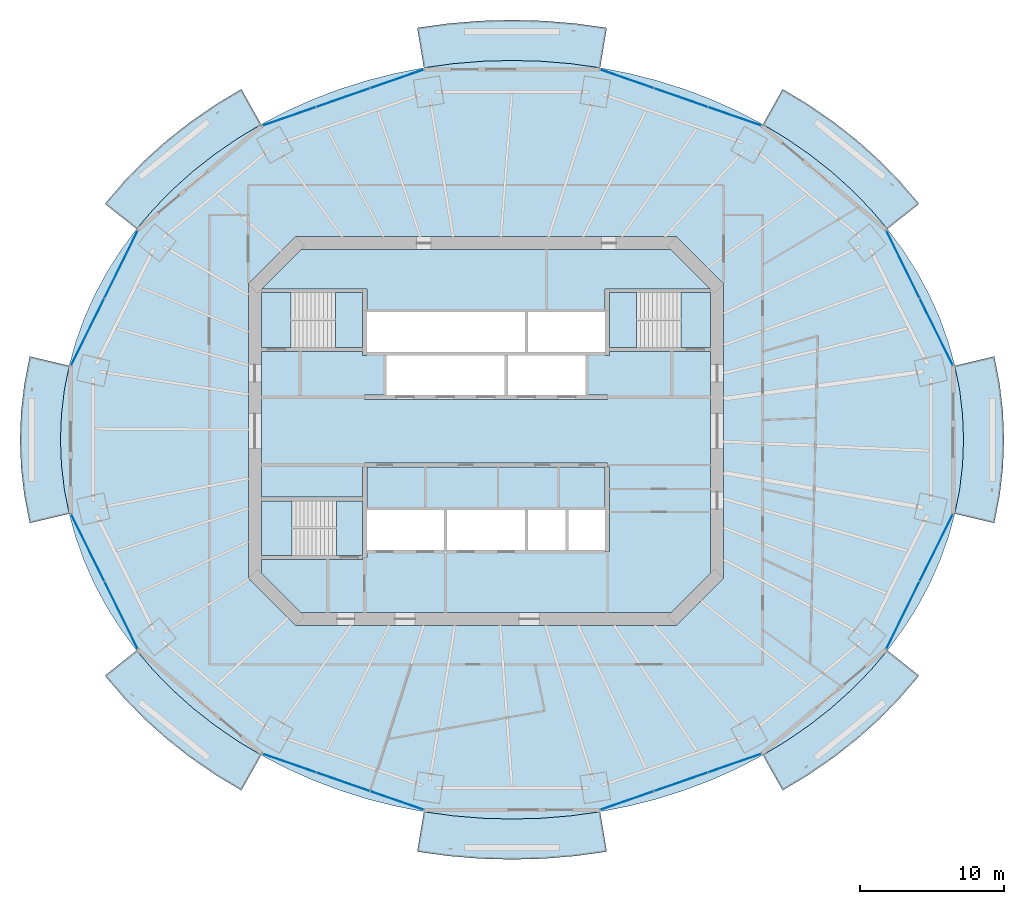
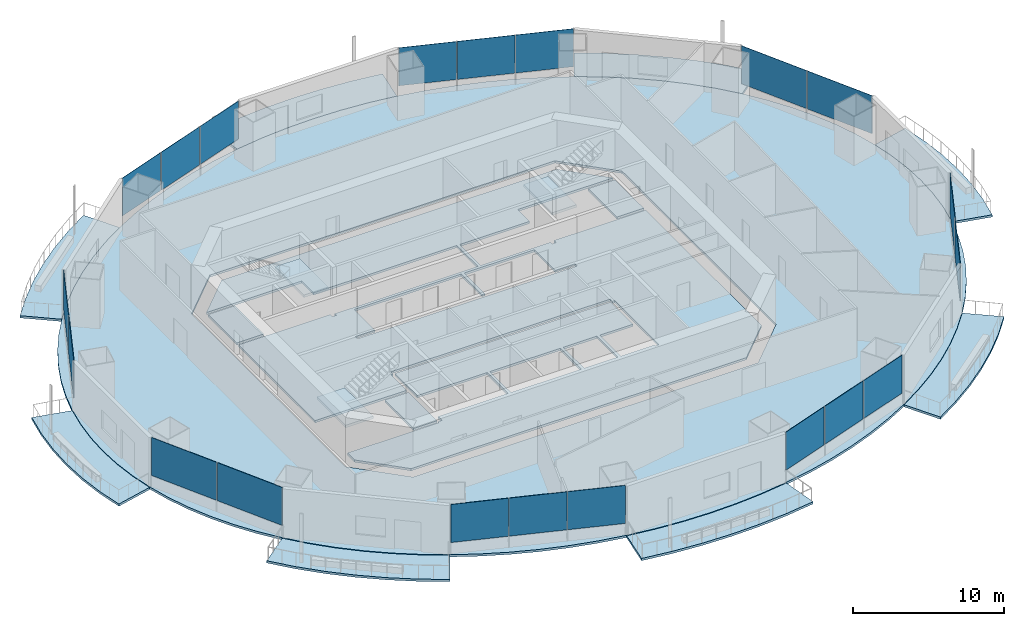
# One storey, part 10 of 20: 20 plates, 16 slabs, 11 elements without a shape of their own.
"""IFC4 building model written with IfcOpenShell, lengths in metres."""

from ifc_helpers import new_model, si_unit, direction, frame, origin, origin_2d, place, context, subcontext, project, spatial, polyline, rectangle, outline, extrude, material, layer, layer_set, type_object, element, aggregate, save


model = new_model("IFC4")

# Units and contexts
model_context = context("Model", 3, precision=1e-05, world=origin(), true_north=direction((0.0, 1.0)))
body_context = subcontext(model_context, "Body", "Model", "MODEL_VIEW")
ifc_project = project(units=[si_unit("LENGTHUNIT", "METRE"), si_unit("AREAUNIT", "SQUARE_METRE"), si_unit("VOLUMEUNIT", "CUBIC_METRE"), si_unit("PLANEANGLEUNIT", "RADIAN"), si_unit("MASSUNIT", "GRAM", prefix="KILO")], contexts=[model_context])

# Site, building, storey
site_placement = place(None, origin())
site = spatial("IfcSite", under=ifc_project, at=site_placement, CompositionType="ELEMENT")
building_placement = place(site_placement, origin())
building = spatial("IfcBuilding", under=site, at=building_placement, Name="Marenthal Gate Tower", CompositionType="ELEMENT")
storey_placement = place(building_placement, frame((0.0, 0.0, 210.85009765625)))
storey = spatial("IfcBuildingStorey", under=building, at=storey_placement, Name="L46", CompositionType="ELEMENT", Elevation=210.85009765625)

# Slabs
ifc_material_1 = material(Name="Concrete 40 MPa", Category="concrete")
ifc_layer_1 = layer(ifc_material_1, 0.179931640625)
ifc_layer_set_1 = layer_set([ifc_layer_1], Name="Balcony deck 180")
slab_type_1 = type_object("IfcSlabType", Name="Balcony deck 180", PredefinedType="USERDEFINED", material=ifc_layer_set_1)
slab_1_placement = place(storey_placement, frame((0.0, 0.0, -0.22021484375)))
element("IfcSlab", 1, at=slab_1_placement, inside=storey, type_object=slab_type_1, Name="Balcony deck L46 bay 2", ObjectType="BALCONY", PredefinedType="USERDEFINED", context=body_context, shape_type="SweptSolid", body=[
    extrude(outline(polyline([(27.783447265625, 13.983642578125), (26.59228515625, 15.3798828125), (25.294921875, 16.707763671875), (23.897216796875, 17.961669921875), (22.404541015625, 19.1357421875), (20.82373046875, 20.2255859375), (19.16162109375, 21.22607421875), (20.531982421875, 23.667724609375), (22.3408203125, 22.5791015625), (24.065185546875, 21.39013671875), (25.697998046875, 20.10546875), (27.23193359375, 18.72998046875), (28.65966796875, 17.2685546875), (29.974609375, 15.726806640625), (27.783447265625, 13.983642578125)])), origin(), (0.0, 0.0, 1.0), 0.18017578125),
])
slab_2_placement = place(storey_placement, frame((0.0, 0.0, -0.22021484375)))
element("IfcSlab", 2, at=slab_2_placement, inside=storey, type_object=slab_type_1, Name="Balcony deck L46 bay 4", ObjectType="BALCONY", PredefinedType="USERDEFINED", context=body_context, shape_type="SweptSolid", body=[
    extrude(outline(polyline([(7.896484375, 25.1455078125), (5.87890625, 25.42529296875), (3.84375, 25.59375), (1.800048828125, 25.64990234375), (-0.243896484375, 25.59375), (-2.27880859375, 25.42529296875), (-4.296630859375, 25.1455078125), (-4.758056640625, 27.9072265625), (-2.586669921875, 28.20849609375), (-0.397705078125, 28.3896484375), (1.800048828125, 28.449951171875), (3.997802734375, 28.3896484375), (6.186767578125, 28.20849609375), (8.358154296875, 27.9072265625), (7.896484375, 25.1455078125)])), origin(), (0.0, 0.0, 1.0), 0.18017578125),
])
slab_3_placement = place(storey_placement, frame((0.0, 0.0, -0.22021484375)))
element("IfcSlab", 3, at=slab_3_placement, inside=storey, type_object=slab_type_1, Name="Balcony deck L46 bay 6", ObjectType="BALCONY", PredefinedType="USERDEFINED", context=body_context, shape_type="SweptSolid", body=[
    extrude(outline(polyline([(-15.5615234375, 21.22607421875), (-17.223876953125, 20.2255859375), (-18.8046875, 19.1357421875), (-20.297119140625, 17.961669921875), (-21.695068359375, 16.707763671875), (-22.9921875, 15.3798828125), (-24.183349609375, 13.983642578125), (-26.374755859375, 15.726806640625), (-25.0595703125, 17.2685546875), (-23.6318359375, 18.72998046875), (-22.09814453125, 20.10546875), (-20.46533203125, 21.39013671875), (-18.74072265625, 22.5791015625), (-16.93212890625, 23.667724609375), (-15.5615234375, 21.22607421875)])), origin(), (0.0, 0.0, 1.0), 0.18017578125),
])
slab_4_placement = place(storey_placement, frame((0.0, 0.0, -0.22021484375)))
element("IfcSlab", 4, at=slab_4_placement, inside=storey, type_object=slab_type_1, Name="Balcony deck L46 bay 8", ObjectType="BALCONY", PredefinedType="USERDEFINED", context=body_context, shape_type="SweptSolid", body=[
    extrude(outline(polyline([(-28.849609375, 4.52099609375), (-29.1826171875, 2.826416015625), (-29.383056640625, 1.11669921875), (-29.449951171875, -0.60009765625), (-29.383056640625, -2.31689453125), (-29.1826171875, -4.0263671875), (-28.849609375, -5.72119140625), (-31.57421875, -6.3662109375), (-31.948974609375, -4.4599609375), (-32.174560546875, -2.53466796875), (-32.25, -0.60009765625), (-32.174560546875, 1.334716796875), (-31.948974609375, 3.259765625), (-31.57421875, 5.166259765625), (-28.849609375, 4.52099609375)])), origin(), (0.0, 0.0, 1.0), 0.18017578125),
])
slab_5_placement = place(storey_placement, frame((0.0, 0.0, -0.22021484375)))
element("IfcSlab", 5, at=slab_5_placement, inside=storey, type_object=slab_type_1, Name="Balcony deck L46 bay 10", ObjectType="BALCONY", PredefinedType="USERDEFINED", context=body_context, shape_type="SweptSolid", body=[
    extrude(outline(polyline([(-24.183349609375, -15.18359375), (-22.9921875, -16.580078125), (-21.695068359375, -17.90771484375), (-20.297119140625, -19.16162109375), (-18.8046875, -20.335693359375), (-17.223876953125, -21.425537109375), (-15.5615234375, -22.426025390625), (-16.93212890625, -24.86767578125), (-18.74072265625, -23.779052734375), (-20.46533203125, -22.590087890625), (-22.09814453125, -21.3056640625), (-23.6318359375, -19.929931640625), (-25.0595703125, -18.468505859375), (-26.374755859375, -16.9267578125), (-24.183349609375, -15.18359375)])), origin(), (0.0, 0.0, 1.0), 0.18017578125),
])
slab_6_placement = place(storey_placement, frame((0.0, 0.0, -0.22021484375)))
element("IfcSlab", 6, at=slab_6_placement, inside=storey, type_object=slab_type_1, Name="Balcony deck L46 bay 12", ObjectType="BALCONY", PredefinedType="USERDEFINED", context=body_context, shape_type="SweptSolid", body=[
    extrude(outline(polyline([(-4.296630859375, -26.345703125), (-2.27880859375, -26.62548828125), (-0.243896484375, -26.793701171875), (1.800048828125, -26.85009765625), (3.84375, -26.793701171875), (5.87890625, -26.62548828125), (7.896484375, -26.345703125), (8.358154296875, -29.107421875), (6.186767578125, -29.408447265625), (3.997802734375, -29.589599609375), (1.800048828125, -29.64990234375), (-0.397705078125, -29.589599609375), (-2.586669921875, -29.408447265625), (-4.758056640625, -29.107421875), (-4.296630859375, -26.345703125)])), origin(), (0.0, 0.0, 1.0), 0.18017578125),
])
slab_7_placement = place(storey_placement, frame((0.0, 0.0, -0.22021484375)))
element("IfcSlab", 7, at=slab_7_placement, inside=storey, type_object=slab_type_1, Name="Balcony deck L46 bay 14", ObjectType="BALCONY", PredefinedType="USERDEFINED", context=body_context, shape_type="SweptSolid", body=[
    extrude(outline(polyline([(19.16162109375, -22.426025390625), (20.82373046875, -21.425537109375), (22.404541015625, -20.335693359375), (23.897216796875, -19.16162109375), (25.294921875, -17.90771484375), (26.59228515625, -16.580078125), (27.783447265625, -15.18359375), (29.974609375, -16.9267578125), (28.65966796875, -18.468505859375), (27.23193359375, -19.929931640625), (25.697998046875, -21.3056640625), (24.065185546875, -22.590087890625), (22.3408203125, -23.779052734375), (20.531982421875, -24.86767578125), (19.16162109375, -22.426025390625)])), origin(), (0.0, 0.0, 1.0), 0.18017578125),
])
slab_8_placement = place(storey_placement, frame((0.0, 0.0, -0.22021484375)))
element("IfcSlab", 8, at=slab_8_placement, inside=storey, type_object=slab_type_1, Name="Balcony deck L46 bay 16", ObjectType="BALCONY", PredefinedType="USERDEFINED", context=body_context, shape_type="SweptSolid", body=[
    extrude(outline(polyline([(32.449462890625, -5.72119140625), (32.78271484375, -4.0263671875), (32.983154296875, -2.31689453125), (33.050048828125, -0.60009765625), (32.983154296875, 1.11669921875), (32.78271484375, 2.826416015625), (32.449462890625, 4.52099609375), (35.174072265625, 5.166259765625), (35.548828125, 3.259765625), (35.774658203125, 1.334716796875), (35.85009765625, -0.60009765625), (35.774658203125, -2.53466796875), (35.548828125, -4.4599609375), (35.174072265625, -6.3662109375), (32.449462890625, -5.72119140625)])), origin(), (0.0, 0.0, 1.0), 0.18017578125),
])
ifc_material_2 = material(Name="Concrete 50 MPa", Category="concrete")
ifc_layer_2 = layer(ifc_material_2, 0.179931640625)
ifc_layer_set_2 = layer_set([ifc_layer_2], Name="Core floor slab 180")
slab_type_2 = type_object("IfcSlabType", Name="Core floor slab 180", PredefinedType="FLOOR", material=ifc_layer_set_2)
slab_9_placement = place(storey_placement, frame((0.0, 0.0, -0.18017578125)))
element("IfcSlab", 9, at=slab_9_placement, inside=storey, type_object=slab_type_2, Name="Core floor L46", PredefinedType="FLOOR", context=body_context, shape_type="SweptSolid", body=[
    extrude(outline(polyline([(12.813720703125, -12.550048828125), (-12.813720703125, -12.550048828125), (-15.550048828125, -9.813720703125), (-15.550048828125, -8.875), (-8.550048828125, -8.875), (-8.550048828125, -8.75), (-8.25, -8.75), (-8.25, -8.239990234375), (-5.60009765625, -8.239990234375), (-2.909912109375, -8.239990234375), (-2.909912109375, -5.4599609375), (-5.60009765625, -5.4599609375), (-8.25, -5.4599609375), (-8.25, -2.5), (8.25, -2.5), (8.25, -5.4599609375), (5.7099609375, -5.4599609375), (5.7099609375, -8.239990234375), (8.25, -8.239990234375), (8.25, -8.35009765625), (8.550048828125, -8.35009765625), (8.550048828125, -2.5), (8.39990234375, -2.5), (8.39990234375, -2.199951171875), (-8.39990234375, -2.199951171875), (-8.39990234375, -2.5), (-8.550048828125, -2.5), (-8.550048828125, -4.574951171875), (-15.550048828125, -4.574951171875), (-15.550048828125, 5.52490234375), (-8.550048828125, 5.52490234375), (-8.550048828125, 5.239990234375), (-8.25, 5.239990234375), (-8.25, 5.4599609375), (-5.60009765625, 5.4599609375), (-2.800048828125, 5.4599609375), (0.0, 5.4599609375), (2.68994140625, 5.4599609375), (2.68994140625, 8.239990234375), (0.0, 8.239990234375), (-2.800048828125, 8.239990234375), (-5.60009765625, 8.239990234375), (-8.25, 8.239990234375), (-8.25, 8.35009765625), (-8.25, 9.824951171875), (-8.550048828125, 9.824951171875), (-15.53857421875, 9.824951171875), (-12.813720703125, 12.550048828125), (12.813720703125, 12.550048828125), (15.53857421875, 9.824951171875), (8.550048828125, 9.824951171875), (8.25, 9.824951171875), (8.25, 8.35009765625), (8.25, 8.239990234375), (5.60009765625, 8.239990234375), (2.909912109375, 8.239990234375), (2.909912109375, 5.4599609375), (5.60009765625, 5.4599609375), (8.25, 5.4599609375), (8.25, 5.239990234375), (8.550048828125, 5.239990234375), (8.550048828125, 5.52490234375), (15.550048828125, 5.52490234375), (15.550048828125, -9.813720703125), (12.813720703125, -12.550048828125)]), holes=[polyline([(2.68994140625, -8.239990234375), (2.68994140625, -5.4599609375), (0.0, -5.4599609375), (-2.68994140625, -5.4599609375), (-2.68994140625, -8.239990234375), (0.0, -8.239990234375), (2.68994140625, -8.239990234375)]), polyline([(-6.889892578125, 5.239990234375), (-6.889892578125, 2.5), (-8.39990234375, 2.5), (-8.39990234375, 2.199951171875), (8.39990234375, 2.199951171875), (8.39990234375, 2.5), (6.889892578125, 2.5), (6.889892578125, 5.239990234375), (4.199951171875, 5.239990234375), (1.510009765625, 5.239990234375), (1.510009765625, 2.5), (1.2900390625, 2.5), (1.2900390625, 5.239990234375), (-1.39990234375, 5.239990234375), (-4.199951171875, 5.239990234375), (-6.889892578125, 5.239990234375)]), polyline([(5.489990234375, -8.239990234375), (5.489990234375, -5.4599609375), (2.909912109375, -5.4599609375), (2.909912109375, -8.239990234375), (5.489990234375, -8.239990234375)])]), origin(), (0.0, 0.0, 1.0), 0.18017578125),
])
slab_10_placement = place(storey_placement, frame((0.0, 0.0, -0.18017578125)))
element("IfcSlab", 10, at=slab_10_placement, inside=storey, type_object=slab_type_2, Name="Core floor L46", PredefinedType="FLOOR", context=body_context, shape_type="SweptSolid", body=[
    extrude(outline(polyline([(15.550048828125, 5.77490234375), (13.5, 5.77490234375), (13.5, 9.574951171875), (15.550048828125, 9.574951171875), (15.550048828125, 5.77490234375)])), origin(), (0.0, 0.0, 1.0), 0.18017578125),
])
slab_11_placement = place(storey_placement, frame((0.0, 0.0, -0.18017578125)))
element("IfcSlab", 11, at=slab_11_placement, inside=storey, type_object=slab_type_2, Name="Core floor L46", PredefinedType="FLOOR", context=body_context, shape_type="SweptSolid", body=[
    extrude(outline(polyline([(-15.550048828125, 9.574951171875), (-13.5, 9.574951171875), (-13.5, 5.77490234375), (-15.550048828125, 5.77490234375), (-15.550048828125, 9.574951171875)])), origin(), (0.0, 0.0, 1.0), 0.18017578125),
])
slab_12_placement = place(storey_placement, frame((0.0, 0.0, -0.18017578125)))
element("IfcSlab", 12, at=slab_12_placement, inside=storey, type_object=slab_type_2, Name="Core floor L46", PredefinedType="FLOOR", context=body_context, shape_type="SweptSolid", body=[
    extrude(outline(polyline([(-8.550048828125, -8.625), (-10.35009765625, -8.625), (-10.35009765625, -4.824951171875), (-8.550048828125, -4.824951171875), (-8.550048828125, -8.625)])), origin(), (0.0, 0.0, 1.0), 0.18017578125),
])
ifc_material_3 = material(Name="Concrete 35 MPa", Category="concrete")
ifc_layer_3 = layer(ifc_material_3, 0.179931640625)
ifc_layer_set_3 = layer_set([ifc_layer_3], Name="Floor slab 180")
slab_type_3 = type_object("IfcSlabType", Name="Floor slab 180", PredefinedType="FLOOR", material=ifc_layer_set_3)
slab_13_placement = place(storey_placement, frame((0.0, 0.0, -0.18017578125)))
element("IfcSlab", 13, at=slab_13_placement, inside=storey, type_object=slab_type_3, Name="SL-L46-01", PredefinedType="FLOOR", context=body_context, shape_type="SweptSolid", body=[
    extrude(outline(polyline([(33.050048828125, -0.60009765625), (32.983154296875, 1.11669921875), (32.78271484375, 2.826416015625), (32.449462890625, 4.52099609375), (31.985107421875, 6.194091796875), (31.3916015625, 7.837890625), (30.671142578125, 9.4453125), (29.827392578125, 11.010009765625), (28.86328125, 12.52490234375), (27.783447265625, 13.983642578125), (26.59228515625, 15.3798828125), (25.294921875, 16.707763671875), (23.897216796875, 17.961669921875), (22.404541015625, 19.1357421875), (20.82373046875, 20.2255859375), (19.16162109375, 21.22607421875), (17.425048828125, 22.13330078125), (15.62158203125, 22.94287109375), (13.7587890625, 23.65185546875), (11.844970703125, 24.2568359375), (9.88818359375, 24.755615234375), (7.896484375, 25.1455078125), (5.87890625, 25.42529296875), (3.84375, 25.59375), (1.800048828125, 25.64990234375), (-0.243896484375, 25.59375), (-2.27880859375, 25.42529296875), (-4.296630859375, 25.1455078125), (-6.2880859375, 24.755615234375), (-8.2451171875, 24.2568359375), (-10.158935546875, 23.65185546875), (-12.021484375, 22.94287109375), (-13.824951171875, 22.13330078125), (-15.5615234375, 21.22607421875), (-17.223876953125, 20.2255859375), (-18.8046875, 19.1357421875), (-20.297119140625, 17.961669921875), (-21.695068359375, 16.707763671875), (-22.9921875, 15.3798828125), (-24.183349609375, 13.983642578125), (-25.26318359375, 12.52490234375), (-26.227294921875, 11.010009765625), (-27.0712890625, 9.4453125), (-27.79150390625, 7.837890625), (-28.38525390625, 6.194091796875), (-28.849609375, 4.52099609375), (-29.1826171875, 2.826416015625), (-29.383056640625, 1.11669921875), (-29.449951171875, -0.60009765625), (-29.383056640625, -2.31689453125), (-29.1826171875, -4.0263671875), (-28.849609375, -5.72119140625), (-28.38525390625, -7.39404296875), (-27.79150390625, -9.037841796875), (-27.0712890625, -10.6455078125), (-26.227294921875, -12.210205078125), (-25.26318359375, -13.72509765625), (-24.183349609375, -15.18359375), (-22.9921875, -16.580078125), (-21.695068359375, -17.90771484375), (-20.297119140625, -19.16162109375), (-18.8046875, -20.335693359375), (-17.223876953125, -21.425537109375), (-15.5615234375, -22.426025390625), (-13.824951171875, -23.333251953125), (-12.021484375, -24.142822265625), (-10.158935546875, -24.851806640625), (-8.2451171875, -25.456787109375), (-6.2880859375, -25.95556640625), (-4.296630859375, -26.345703125), (-2.27880859375, -26.62548828125), (-0.243896484375, -26.793701171875), (1.800048828125, -26.85009765625), (3.84375, -26.793701171875), (5.87890625, -26.62548828125), (7.896484375, -26.345703125), (9.88818359375, -25.95556640625), (11.844970703125, -25.456787109375), (13.7587890625, -24.851806640625), (15.62158203125, -24.142822265625), (17.425048828125, -23.333251953125), (19.16162109375, -22.426025390625), (20.82373046875, -21.425537109375), (22.404541015625, -20.335693359375), (23.897216796875, -19.16162109375), (25.294921875, -17.90771484375), (26.59228515625, -16.580078125), (27.783447265625, -15.18359375), (28.86328125, -13.72509765625), (29.827392578125, -12.210205078125), (30.671142578125, -10.6455078125), (31.3916015625, -9.037841796875), (31.985107421875, -7.39404296875), (32.449462890625, -5.72119140625), (32.78271484375, -4.0263671875), (32.983154296875, -2.31689453125), (33.050048828125, -0.60009765625)]), holes=[polyline([(13.186279296875, -13.449951171875), (16.449951171875, -10.186279296875), (16.449951171875, 10.186279296875), (13.186279296875, 13.449951171875), (-13.186279296875, 13.449951171875), (-16.449951171875, 10.186279296875), (-16.449951171875, -10.186279296875), (-13.186279296875, -13.449951171875), (13.186279296875, -13.449951171875)])]), origin(), (0.0, 0.0, 1.0), 0.18017578125),
])

# Curtain wall, plates
ifc_material_4 = material(Name="Aluminium and glass", Category="aluminium")
curtain_wall_type = type_object("IfcCurtainWallType", Name="Curtain wall typical mid", PredefinedType="NOTDEFINED", material=ifc_material_4)
curtain_wall_1_placement = place(storey_placement, origin())
curtain_wall_1 = element("IfcCurtainWall", 14, at=curtain_wall_1_placement, inside=storey, type_object=curtain_wall_type, Name="Curtain wall L46 bay 1", PredefinedType="NOTDEFINED")
ifc_material_5 = material(Name="Glass, laminated insulating unit", Category="glass")
ifc_layer_4 = layer(ifc_material_5, 0.030029296875)
ifc_layer_set_4 = layer_set([ifc_layer_4], Name="Glass panel 30 typical mid")
plate_type = type_object("IfcPlateType", Name="Glass panel 30 typical mid", PredefinedType="CURTAIN_PANEL", material=ifc_layer_set_4)
plate_1_placement = place(storey_placement, frame((31.1630859375, 6.865966796875, 0.89990234375), z_axis=(0.0, 0.0, 1.0), x_axis=(-0.442523466153, 0.896756924648, 0.0)))
plate_1 = element("IfcPlate", 15, at=plate_1_placement, type_object=plate_type, Name="Glass panel L46 bay 1.1", PredefinedType="CURTAIN_PANEL", context=body_context, shape_type="SweptSolid", body=[
    extrude(rectangle(XDim=5.161865234375, YDim=0.030029296875, at=origin_2d()), origin(), (0.0, 0.0, 1.0), 3.070068359375),
])
plate_2_placement = place(storey_placement, frame((28.852294921875, 11.548828125, 0.89990234375), z_axis=(0.0, 0.0, 1.0), x_axis=(-0.442523466153, 0.896756924648, 0.0)))
plate_2 = element("IfcPlate", 16, at=plate_2_placement, type_object=plate_type, Name="Glass panel L46 bay 1.2", PredefinedType="CURTAIN_PANEL", context=body_context, shape_type="SweptSolid", body=[
    extrude(rectangle(XDim=5.161865234375, YDim=0.030029296875, at=origin_2d()), origin(), (0.0, 0.0, 1.0), 3.070068359375),
])
aggregate(curtain_wall_1, [plate_1, plate_2])

curtain_wall_2_placement = place(storey_placement, origin())
curtain_wall_2 = element("IfcCurtainWall", 17, at=curtain_wall_2_placement, inside=storey, type_object=curtain_wall_type, Name="Curtain wall L46 bay 3", PredefinedType="NOTDEFINED")
plate_3_placement = place(storey_placement, frame((17.205810546875, 21.783203125, 0.89990234375), z_axis=(0.0, 0.0, 1.0), x_axis=(-0.944538576348, 0.328400483847, 0.0)))
plate_3 = element("IfcPlate", 18, at=plate_3_placement, type_object=plate_type, Name="Glass panel L46 bay 3.1", PredefinedType="CURTAIN_PANEL", context=body_context, shape_type="SweptSolid", body=[
    extrude(rectangle(XDim=3.880126953125, YDim=0.030029296875, at=origin_2d()), origin(), (0.0, 0.0, 1.0), 3.070068359375),
])
plate_4_placement = place(storey_placement, frame((13.484130859375, 23.0771484375, 0.89990234375), z_axis=(0.0, 0.0, 1.0), x_axis=(-0.944538576348, 0.328400483847, 0.0)))
plate_4 = element("IfcPlate", 19, at=plate_4_placement, type_object=plate_type, Name="Glass panel L46 bay 3.2", PredefinedType="CURTAIN_PANEL", context=body_context, shape_type="SweptSolid", body=[
    extrude(rectangle(XDim=3.880126953125, YDim=0.030029296875, at=origin_2d()), origin(), (0.0, 0.0, 1.0), 3.070068359375),
])
plate_5_placement = place(storey_placement, frame((9.762451171875, 24.37109375, 0.89990234375), z_axis=(0.0, 0.0, 1.0), x_axis=(-0.944538576348, 0.328400483847, 0.0)))
plate_5 = element("IfcPlate", 20, at=plate_5_placement, type_object=plate_type, Name="Glass panel L46 bay 3.3", PredefinedType="CURTAIN_PANEL", context=body_context, shape_type="SweptSolid", body=[
    extrude(rectangle(XDim=3.880126953125, YDim=0.030029296875, at=origin_2d()), origin(), (0.0, 0.0, 1.0), 3.070068359375),
])
aggregate(curtain_wall_2, [plate_3, plate_4, plate_5])

curtain_wall_3_placement = place(storey_placement, origin())
curtain_wall_3 = element("IfcCurtainWall", 21, at=curtain_wall_3_placement, inside=storey, type_object=curtain_wall_type, Name="Curtain wall L46 bay 5", PredefinedType="NOTDEFINED")
plate_6_placement = place(storey_placement, frame((-6.162353515625, 24.37109375, 0.89990234375), z_axis=(0.0, 0.0, 1.0), x_axis=(-0.944538576348, -0.328400483847, 0.0)))
plate_6 = element("IfcPlate", 22, at=plate_6_placement, type_object=plate_type, Name="Glass panel L46 bay 5.1", PredefinedType="CURTAIN_PANEL", context=body_context, shape_type="SweptSolid", body=[
    extrude(rectangle(XDim=3.880126953125, YDim=0.030029296875, at=origin_2d()), origin(), (0.0, 0.0, 1.0), 3.070068359375),
])
plate_7_placement = place(storey_placement, frame((-9.884033203125, 23.0771484375, 0.89990234375), z_axis=(0.0, 0.0, 1.0), x_axis=(-0.944538576348, -0.328400483847, 0.0)))
plate_7 = element("IfcPlate", 23, at=plate_7_placement, type_object=plate_type, Name="Glass panel L46 bay 5.2", PredefinedType="CURTAIN_PANEL", context=body_context, shape_type="SweptSolid", body=[
    extrude(rectangle(XDim=3.880126953125, YDim=0.030029296875, at=origin_2d()), origin(), (0.0, 0.0, 1.0), 3.070068359375),
])
plate_8_placement = place(storey_placement, frame((-13.605712890625, 21.783203125, 0.89990234375), z_axis=(0.0, 0.0, 1.0), x_axis=(-0.944538576348, -0.328400483847, 0.0)))
plate_8 = element("IfcPlate", 24, at=plate_8_placement, type_object=plate_type, Name="Glass panel L46 bay 5.3", PredefinedType="CURTAIN_PANEL", context=body_context, shape_type="SweptSolid", body=[
    extrude(rectangle(XDim=3.880126953125, YDim=0.030029296875, at=origin_2d()), origin(), (0.0, 0.0, 1.0), 3.070068359375),
])
aggregate(curtain_wall_3, [plate_6, plate_7, plate_8])

curtain_wall_4_placement = place(storey_placement, origin())
curtain_wall_4 = element("IfcCurtainWall", 25, at=curtain_wall_4_placement, inside=storey, type_object=curtain_wall_type, Name="Curtain wall L46 bay 7", PredefinedType="NOTDEFINED")
plate_9_placement = place(storey_placement, frame((-25.252197265625, 11.548828125, 0.89990234375), z_axis=(0.0, 0.0, 1.0), x_axis=(-0.442523466153, -0.896756924648, 0.0)))
plate_9 = element("IfcPlate", 26, at=plate_9_placement, type_object=plate_type, Name="Glass panel L46 bay 7.1", PredefinedType="CURTAIN_PANEL", context=body_context, shape_type="SweptSolid", body=[
    extrude(rectangle(XDim=5.161865234375, YDim=0.030029296875, at=origin_2d()), origin(), (0.0, 0.0, 1.0), 3.070068359375),
])
plate_10_placement = place(storey_placement, frame((-27.56298828125, 6.865966796875, 0.89990234375), z_axis=(0.0, 0.0, 1.0), x_axis=(-0.442523466153, -0.896756924648, 0.0)))
plate_10 = element("IfcPlate", 27, at=plate_10_placement, type_object=plate_type, Name="Glass panel L46 bay 7.2", PredefinedType="CURTAIN_PANEL", context=body_context, shape_type="SweptSolid", body=[
    extrude(rectangle(XDim=5.161865234375, YDim=0.030029296875, at=origin_2d()), origin(), (0.0, 0.0, 1.0), 3.070068359375),
])
aggregate(curtain_wall_4, [plate_9, plate_10])

curtain_wall_5_placement = place(storey_placement, origin())
curtain_wall_5 = element("IfcCurtainWall", 28, at=curtain_wall_5_placement, inside=storey, type_object=curtain_wall_type, Name="Curtain wall L46 bay 9", PredefinedType="NOTDEFINED")
plate_11_placement = place(storey_placement, frame((-27.563232421875, -8.06591796875, 0.89990234375), z_axis=(0.0, 0.0, 1.0), x_axis=(0.442523466153, -0.896756924648, 0.0)))
plate_11 = element("IfcPlate", 29, at=plate_11_placement, type_object=plate_type, Name="Glass panel L46 bay 9.1", PredefinedType="CURTAIN_PANEL", context=body_context, shape_type="SweptSolid", body=[
    extrude(rectangle(XDim=5.161865234375, YDim=0.030029296875, at=origin_2d()), origin(), (0.0, 0.0, 1.0), 3.070068359375),
])
plate_12_placement = place(storey_placement, frame((-25.252197265625, -12.748779296875, 0.89990234375), z_axis=(0.0, 0.0, 1.0), x_axis=(0.442523466153, -0.896756924648, 0.0)))
plate_12 = element("IfcPlate", 30, at=plate_12_placement, type_object=plate_type, Name="Glass panel L46 bay 9.2", PredefinedType="CURTAIN_PANEL", context=body_context, shape_type="SweptSolid", body=[
    extrude(rectangle(XDim=5.161865234375, YDim=0.030029296875, at=origin_2d()), origin(), (0.0, 0.0, 1.0), 3.070068359375),
])
aggregate(curtain_wall_5, [plate_11, plate_12])

curtain_wall_6_placement = place(storey_placement, origin())
curtain_wall_6 = element("IfcCurtainWall", 31, at=curtain_wall_6_placement, inside=storey, type_object=curtain_wall_type, Name="Curtain wall L46 bay 11", PredefinedType="NOTDEFINED")
plate_13_placement = place(storey_placement, frame((-13.605712890625, -22.983154296875, 0.89990234375), z_axis=(0.0, 0.0, 1.0), x_axis=(0.944538576348, -0.328400483847, 0.0)))
plate_13 = element("IfcPlate", 32, at=plate_13_placement, type_object=plate_type, Name="Glass panel L46 bay 11.1", PredefinedType="CURTAIN_PANEL", context=body_context, shape_type="SweptSolid", body=[
    extrude(rectangle(XDim=3.880126953125, YDim=0.030029296875, at=origin_2d()), origin(), (0.0, 0.0, 1.0), 3.070068359375),
])
plate_14_placement = place(storey_placement, frame((-9.884033203125, -24.277099609375, 0.89990234375), z_axis=(0.0, 0.0, 1.0), x_axis=(0.944538576348, -0.328400483847, 0.0)))
plate_14 = element("IfcPlate", 33, at=plate_14_placement, type_object=plate_type, Name="Glass panel L46 bay 11.2", PredefinedType="CURTAIN_PANEL", context=body_context, shape_type="SweptSolid", body=[
    extrude(rectangle(XDim=3.880126953125, YDim=0.030029296875, at=origin_2d()), origin(), (0.0, 0.0, 1.0), 3.070068359375),
])
plate_15_placement = place(storey_placement, frame((-6.162353515625, -25.571044921875, 0.89990234375), z_axis=(0.0, 0.0, 1.0), x_axis=(0.944538576348, -0.328400483847, 0.0)))
plate_15 = element("IfcPlate", 34, at=plate_15_placement, type_object=plate_type, Name="Glass panel L46 bay 11.3", PredefinedType="CURTAIN_PANEL", context=body_context, shape_type="SweptSolid", body=[
    extrude(rectangle(XDim=3.880126953125, YDim=0.030029296875, at=origin_2d()), origin(), (0.0, 0.0, 1.0), 3.070068359375),
])
aggregate(curtain_wall_6, [plate_13, plate_14, plate_15])

curtain_wall_7_placement = place(storey_placement, origin())
curtain_wall_7 = element("IfcCurtainWall", 35, at=curtain_wall_7_placement, inside=storey, type_object=curtain_wall_type, Name="Curtain wall L46 bay 13", PredefinedType="NOTDEFINED")
plate_16_placement = place(storey_placement, frame((9.762451171875, -25.571044921875, 0.89990234375), z_axis=(0.0, 0.0, 1.0), x_axis=(0.944538576348, 0.328400483847, 0.0)))
plate_16 = element("IfcPlate", 36, at=plate_16_placement, type_object=plate_type, Name="Glass panel L46 bay 13.1", PredefinedType="CURTAIN_PANEL", context=body_context, shape_type="SweptSolid", body=[
    extrude(rectangle(XDim=3.880126953125, YDim=0.030029296875, at=origin_2d()), origin(), (0.0, 0.0, 1.0), 3.070068359375),
])
plate_17_placement = place(storey_placement, frame((13.484130859375, -24.277099609375, 0.89990234375), z_axis=(0.0, 0.0, 1.0), x_axis=(0.944538576348, 0.328400483847, 0.0)))
plate_17 = element("IfcPlate", 37, at=plate_17_placement, type_object=plate_type, Name="Glass panel L46 bay 13.2", PredefinedType="CURTAIN_PANEL", context=body_context, shape_type="SweptSolid", body=[
    extrude(rectangle(XDim=3.880126953125, YDim=0.030029296875, at=origin_2d()), origin(), (0.0, 0.0, 1.0), 3.070068359375),
])
plate_18_placement = place(storey_placement, frame((17.205810546875, -22.983154296875, 0.89990234375), z_axis=(0.0, 0.0, 1.0), x_axis=(0.944538576348, 0.328400483847, 0.0)))
plate_18 = element("IfcPlate", 38, at=plate_18_placement, type_object=plate_type, Name="Glass panel L46 bay 13.3", PredefinedType="CURTAIN_PANEL", context=body_context, shape_type="SweptSolid", body=[
    extrude(rectangle(XDim=3.880126953125, YDim=0.030029296875, at=origin_2d()), origin(), (0.0, 0.0, 1.0), 3.070068359375),
])
aggregate(curtain_wall_7, [plate_16, plate_17, plate_18])

curtain_wall_8_placement = place(storey_placement, origin())
curtain_wall_8 = element("IfcCurtainWall", 39, at=curtain_wall_8_placement, inside=storey, type_object=curtain_wall_type, Name="Curtain wall L46 bay 15", PredefinedType="NOTDEFINED")
plate_19_placement = place(storey_placement, frame((28.852294921875, -12.748779296875, 0.89990234375), z_axis=(0.0, 0.0, 1.0), x_axis=(0.442523466153, 0.896756924648, 0.0)))
plate_19 = element("IfcPlate", 40, at=plate_19_placement, type_object=plate_type, Name="Glass panel L46 bay 15.1", PredefinedType="CURTAIN_PANEL", context=body_context, shape_type="SweptSolid", body=[
    extrude(rectangle(XDim=5.161865234375, YDim=0.030029296875, at=origin_2d()), origin(), (0.0, 0.0, 1.0), 3.070068359375),
])
plate_20_placement = place(storey_placement, frame((31.1630859375, -8.06591796875, 0.89990234375), z_axis=(0.0, 0.0, 1.0), x_axis=(0.442523466153, 0.896756924648, 0.0)))
plate_20 = element("IfcPlate", 41, at=plate_20_placement, type_object=plate_type, Name="Glass panel L46 bay 15.2", PredefinedType="CURTAIN_PANEL", context=body_context, shape_type="SweptSolid", body=[
    extrude(rectangle(XDim=5.161865234375, YDim=0.030029296875, at=origin_2d()), origin(), (0.0, 0.0, 1.0), 3.070068359375),
])
aggregate(curtain_wall_8, [plate_19, plate_20])

# Stair, slab
ifc_material_6 = material(Name="Concrete 40 MPa", Category="concrete")
stair_type = type_object("IfcStairType", Name="Exit stair 1800", PredefinedType="HALF_TURN_STAIR", material=ifc_material_6)
stair_1_placement = place(storey_placement, origin())
stair_1 = element("IfcStair", 42, at=stair_1_placement, inside=storey, type_object=stair_type, Name="Stair ST1", PredefinedType="HALF_TURN_STAIR")
ifc_material_7 = material(Name="Concrete 40 MPa", Category="concrete")
ifc_layer_5 = layer(ifc_material_7, 0.199951171875)
ifc_layer_set_5 = layer_set([ifc_layer_5], Name="Stair landing 200")
slab_type_4 = type_object("IfcSlabType", Name="Stair landing 200", PredefinedType="LANDING", material=ifc_layer_set_5)
slab_14_placement = place(storey_placement, frame((0.0, 0.0, 1.875)))
slab_14 = element("IfcSlab", 43, at=slab_14_placement, type_object=slab_type_4, Name="ST1 landing 1", PredefinedType="LANDING", context=body_context, shape_type="SweptSolid", body=[
    extrude(outline(polyline([(-10.419921875, 5.77490234375), (-8.550048828125, 5.77490234375), (-8.550048828125, 9.574951171875), (-10.419921875, 9.574951171875), (-10.419921875, 5.77490234375)])), origin(), (0.0, 0.0, 1.0), 0.199951171875),
])
aggregate(stair_1, [slab_14])

stair_2_placement = place(storey_placement, origin())
stair_2 = element("IfcStair", 44, at=stair_2_placement, inside=storey, type_object=stair_type, Name="Stair ST2", PredefinedType="HALF_TURN_STAIR")
slab_15_placement = place(storey_placement, frame((0.0, 0.0, 1.875)))
slab_15 = element("IfcSlab", 45, at=slab_15_placement, type_object=slab_type_4, Name="ST2 landing 1", PredefinedType="LANDING", context=body_context, shape_type="SweptSolid", body=[
    extrude(outline(polyline([(-15.550048828125, -8.625), (-13.429931640625, -8.625), (-13.429931640625, -4.824951171875), (-15.550048828125, -4.824951171875), (-15.550048828125, -8.625)])), origin(), (0.0, 0.0, 1.0), 0.199951171875),
])
aggregate(stair_2, [slab_15])

stair_3_placement = place(storey_placement, origin())
stair_3 = element("IfcStair", 46, at=stair_3_placement, inside=storey, type_object=stair_type, Name="Stair ST3", PredefinedType="HALF_TURN_STAIR")
slab_16_placement = place(storey_placement, frame((0.0, 0.0, 1.875)))
slab_16 = element("IfcSlab", 47, at=slab_16_placement, type_object=slab_type_4, Name="ST3 landing 1", PredefinedType="LANDING", context=body_context, shape_type="SweptSolid", body=[
    extrude(outline(polyline([(8.550048828125, 5.77490234375), (10.419921875, 5.77490234375), (10.419921875, 9.574951171875), (8.550048828125, 9.574951171875), (8.550048828125, 5.77490234375)])), origin(), (0.0, 0.0, 1.0), 0.199951171875),
])
aggregate(stair_3, [slab_16])

save(model, "model.ifc")
